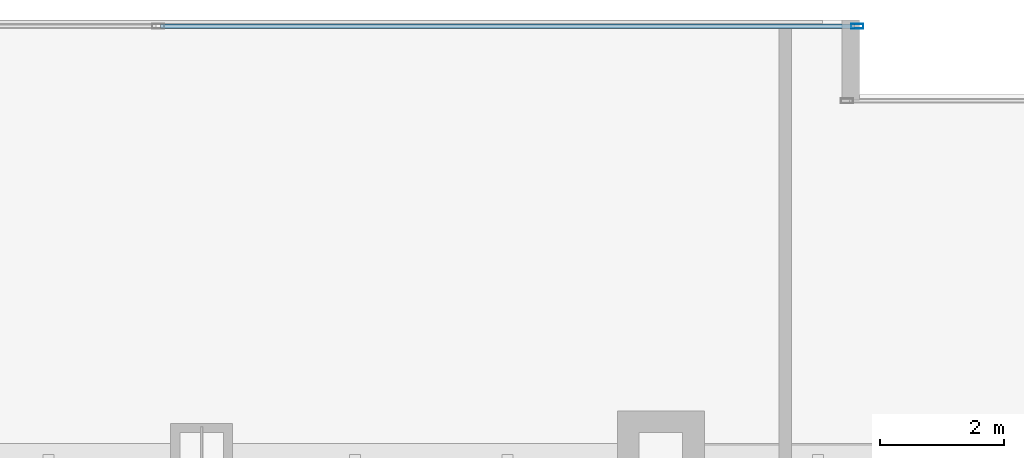
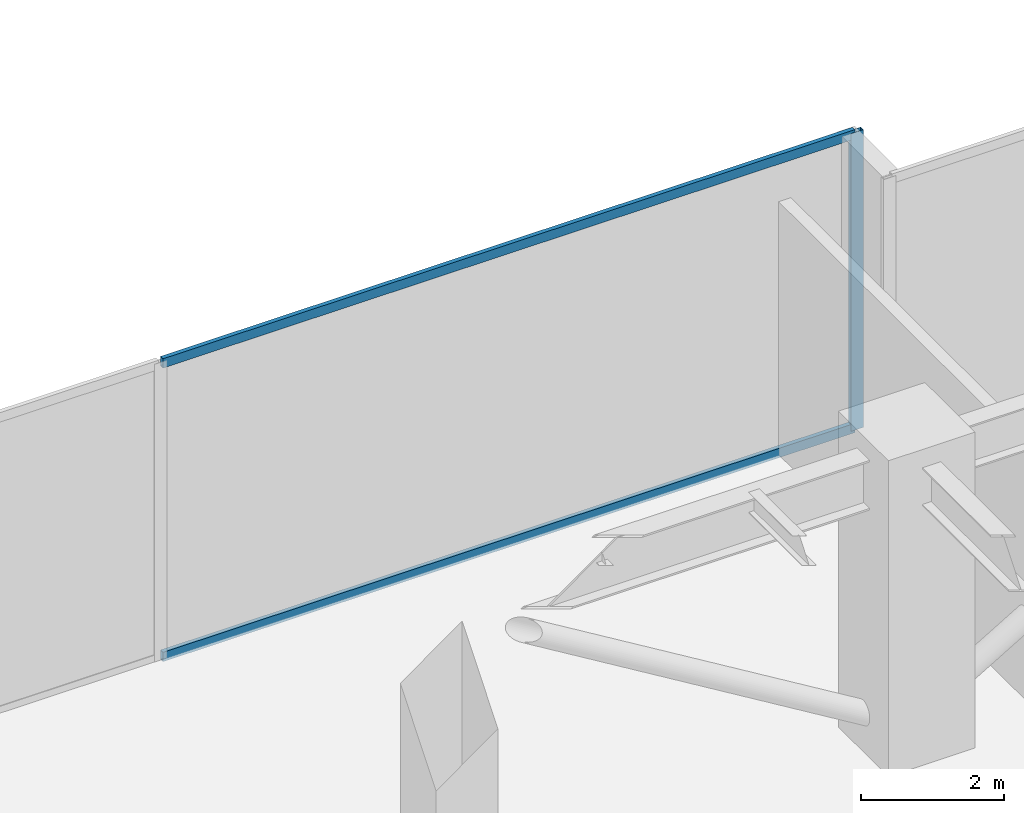
# One storey, part 16 of 38: 3 members, 1 element without a shape of its own.
"""IFC4 building model written with IfcOpenShell, lengths in metres."""

import ifcopenshell
import ifcopenshell.guid

model = None  # the IFC model being written
_history = None  # IfcOwnerHistory: only IFC2X3 demands one
_inside = {}  # id of a spatial element -> (the spatial element, [elements in it])
_under = {}  # id of a project, library or spatial element -> (it, [spatial elements below it])
_declared = {}  # id of a project -> (the project, [libraries it declares])
_typed = {}  # id of a type object -> (the type object, [elements of that type])
_made_of = {}  # id of a material, layer set ... -> (it, [elements and type objects made of it])


def new_model(schema):
    """Start an empty IFC model of exactly this schema.

    Asked for "IFC4X3", IfcOpenShell would pick the latest addendum, in which some entities
    have other attributes; the version numbers below select the first issue.
    IFC2X3 requires an IfcOwnerHistory on every rooted entity: one is made here for all.
    """
    global model, _history
    if schema == "IFC4X3":
        model = ifcopenshell.file(schema_version=(4, 3, 0, 0))
    else:
        model = ifcopenshell.file(schema=schema)
    _inside.clear()
    _under.clear()
    _declared.clear()
    _typed.clear()
    _made_of.clear()
    _history = None
    if model.schema == "IFC2X3":
        org = make("IfcOrganization", Name="unknown")
        user = make(
            "IfcPersonAndOrganization",
            ThePerson=make("IfcPerson", FamilyName="unknown"),
            TheOrganization=org,
        )
        app = make(
            "IfcApplication",
            ApplicationDeveloper=org,
            Version="unknown",
            ApplicationFullName="unknown",
            ApplicationIdentifier="unknown",
        )
        _history = make(
            "IfcOwnerHistory",
            OwningUser=user,
            OwningApplication=app,
            ChangeAction="ADDED",
            CreationDate=0,
        )
    return model


def make(cls, **values):
    """One entity of the class cls with the attributes given. An attribute that is None is left unset."""
    return model.create_entity(
        cls, **{name: value for name, value in values.items() if value is not None}
    )


def rooted(cls, **values):
    """An entity with a GlobalId (a new one), such as an element, a storey or a relation."""
    return make(cls, GlobalId=ifcopenshell.guid.new(), OwnerHistory=_history, **values)


def si_unit(unit_type, name, prefix=None):
    """IfcSIUnit, for example si_unit("LENGTHUNIT", "METRE", prefix="MILLI")."""
    return make("IfcSIUnit", UnitType=unit_type, Prefix=prefix, Name=name)


def assignment(units):
    """IfcUnitAssignment: the units of a project."""
    return None if units is None else make("IfcUnitAssignment", Units=units)


def point(xyz):
    """IfcCartesianPoint."""
    return None if xyz is None else make("IfcCartesianPoint", Coordinates=xyz)


def direction(xyz):
    """IfcDirection."""
    return None if xyz is None else make("IfcDirection", DirectionRatios=xyz)


def frame(location, z_axis=None, x_axis=None):
    """IfcAxis2Placement3D, a coordinate frame: its origin and axes. An axis left out is left unset."""
    return make(
        "IfcAxis2Placement3D",
        Location=point(location),
        Axis=direction(z_axis),
        RefDirection=direction(x_axis),
    )


def frame_2d(location, x_axis=None):
    """IfcAxis2Placement2D, a coordinate frame in the plane: its origin and x axis."""
    return make(
        "IfcAxis2Placement2D", Location=point(location), RefDirection=direction(x_axis)
    )


def origin():
    """The frame at (0, 0, 0) with its axes left unset."""
    return frame((0.0, 0.0, 0.0))


def origin_2d():
    """The frame at (0, 0) in the plane with its x axis left unset."""
    return frame_2d((0.0, 0.0))


def place(relative_to, where):
    """IfcLocalPlacement: puts the frame where relative to a parent placement (None: the world)."""
    return make(
        "IfcLocalPlacement", PlacementRelTo=relative_to, RelativePlacement=where
    )


def context(
    kind, dimensions, precision=None, world=None, true_north=None, identifier=None
):
    """IfcGeometricRepresentationContext, for example the 3D "Model" context."""
    return make(
        "IfcGeometricRepresentationContext",
        ContextIdentifier=identifier,
        ContextType=kind,
        CoordinateSpaceDimension=dimensions,
        Precision=precision,
        WorldCoordinateSystem=world,
        TrueNorth=true_north,
    )


def subcontext(parent, identifier, kind, view, scale=None):
    """IfcGeometricRepresentationSubContext, for example "Body" below "Model"."""
    return make(
        "IfcGeometricRepresentationSubContext",
        ContextIdentifier=identifier,
        ContextType=kind,
        ParentContext=parent,
        TargetScale=scale,
        TargetView=view,
    )


def project(units=None, contexts=None):
    """IfcProject with its units and contexts."""
    return rooted(
        "IfcProject",
        Name="project",
        RepresentationContexts=contexts,
        UnitsInContext=assignment(units),
    )


def spatial(cls, under=None, at=None, **own):
    """A site, building, storey or space (cls), placed at a placement, below another one or the project."""
    s = rooted(cls, ObjectPlacement=at, **own)
    if under is not None:
        _under.setdefault(under.id(), (under, []))[1].append(s)
    return s


def profile(cls, at=None, kind="AREA", **sizes):
    """A parametric profile (cls). Its sizes go by their IFC names, for example OverallWidth=200.0."""
    return make(cls, ProfileType=kind, Position=at, **sizes)


def hollow_rectangle(**sizes):
    """IfcRectangleHollowProfileDef."""
    return profile("IfcRectangleHollowProfileDef", **sizes)


def extrude(swept, where, along, depth):
    """IfcExtrudedAreaSolid: the profile swept, set in the frame where, extruded along a direction by depth."""
    return make(
        "IfcExtrudedAreaSolid",
        SweptArea=swept,
        Position=where,
        ExtrudedDirection=direction(along),
        Depth=depth,
    )


def shape(context_of_items, identifier, shape_type, items):
    """IfcShapeRepresentation: the items that make up one representation, for example the "Body"."""
    return make(
        "IfcShapeRepresentation",
        ContextOfItems=context_of_items,
        RepresentationIdentifier=identifier,
        RepresentationType=shape_type,
        Items=items,
    )


def source(mapping_origin, context_of_items, identifier, shape_type, items):
    """IfcRepresentationMap: a shape defined once, which mapped items show again and again."""
    return make(
        "IfcRepresentationMap",
        MappingOrigin=mapping_origin,
        MappedRepresentation=shape(context_of_items, identifier, shape_type, items),
    )


def transform(
    local_origin,
    x_axis=None,
    y_axis=None,
    z_axis=None,
    scale=None,
    scale2=None,
    scale3=None,
    uniform=True,
):
    """IfcCartesianTransformationOperator3D, or its non-uniform kind. x_axis, y_axis, z_axis: its Axis1, 2, 3."""
    if uniform:
        return make(
            "IfcCartesianTransformationOperator3D",
            Axis1=direction(x_axis),
            Axis2=direction(y_axis),
            LocalOrigin=point(local_origin),
            Scale=scale,
            Axis3=direction(z_axis),
        )
    return make(
        "IfcCartesianTransformationOperator3DnonUniform",
        Axis1=direction(x_axis),
        Axis2=direction(y_axis),
        LocalOrigin=point(local_origin),
        Scale=scale,
        Axis3=direction(z_axis),
        Scale2=scale2,
        Scale3=scale3,
    )


def mapped(mapping_source, mapping_target):
    """IfcMappedItem: shows the shape of a source again, moved by a transform."""
    return make(
        "IfcMappedItem", MappingSource=mapping_source, MappingTarget=mapping_target
    )


def material(Name=None, Category=None):
    """IfcMaterial."""
    return make("IfcMaterial", Name=Name, Category=Category)


def layer(
    of_material, thickness, ventilated=None, Name=None, Category=None, Priority=None
):
    """IfcMaterialLayer: one layer of a wall or slab, of a material (None: an air gap)."""
    return make(
        "IfcMaterialLayer",
        Material=of_material,
        LayerThickness=thickness,
        IsVentilated=ventilated,
        Name=Name,
        Category=Category,
        Priority=Priority,
    )


def layer_set(layers, Name=None):
    """IfcMaterialLayerSet."""
    return make("IfcMaterialLayerSet", MaterialLayers=layers, LayerSetName=Name)


def material_profile(
    of_material, cross_section, Name=None, Category=None, Priority=None
):
    """IfcMaterialProfile: a cross section and its material."""
    return make(
        "IfcMaterialProfile",
        Name=Name,
        Material=of_material,
        Profile=cross_section,
        Priority=Priority,
        Category=Category,
    )


def profile_set(profiles, Name=None, composite=None):
    """IfcMaterialProfileSet."""
    return make(
        "IfcMaterialProfileSet",
        Name=Name,
        MaterialProfiles=profiles,
        CompositeProfile=composite,
    )


def made_of(thing, what):
    """Note that an element or type object is made of a material, layer set ...; save() writes the relation."""
    if what is not None:
        _made_of.setdefault(what.id(), (what, []))[1].append(thing)
    return thing


def type_object(cls, material=None, **own):
    """A type object (cls), such as IfcWallType, which elements share."""
    return made_of(rooted(cls, **own), material)


def type_shapes(of_type, sources):
    """Give a type object the sources (RepresentationMaps) that its elements show as mapped items."""
    of_type.RepresentationMaps = sources


def element(
    cls,
    number,
    at=None,
    inside=None,
    cuts=None,
    type_object=None,
    material=None,
    context=None,
    identifier="Body",
    shape_type=None,
    held_by="IfcProductDefinitionShape",
    body=None,
    shapes=None,
    **own,
):
    """One element of the class cls, such as IfcWall. Its Tag is "e" and its number.

    at: its placement. inside: the storey or other place that contains it. cuts: it is an
    opening in that element (IfcRelVoidsElement). A single representation is given by context,
    identifier, shape_type and body (its items); several are given by shapes. held_by: the class
    of the entity that holds the representations. save() writes the other relations.
    """
    e = rooted(cls, Tag="e%d" % number, ObjectPlacement=at, **own)
    if body is not None:
        shapes = [shape(context, identifier, shape_type, body)]
    if shapes is not None:
        e.Representation = make(held_by, Representations=shapes)
    if inside is not None:
        _inside.setdefault(inside.id(), (inside, []))[1].append(e)
    if cuts is not None:
        rooted(
            "IfcRelVoidsElement", RelatingBuildingElement=cuts, RelatedOpeningElement=e
        )
    if type_object is not None:
        _typed.setdefault(type_object.id(), (type_object, []))[1].append(e)
    return made_of(e, material)


def aggregate(whole, parts):
    """IfcRelAggregates: a whole, such as a stair, and the parts it consists of."""
    return rooted("IfcRelAggregates", RelatingObject=whole, RelatedObjects=parts)


def save(model, path):
    """Write the relations noted so far, then the file.

    IfcRelAggregates (storeys below a building ...), IfcRelContainedInSpatialStructure (elements
    in a storey), IfcRelDefinesByType, IfcRelAssociatesMaterial and IfcRelDeclares: one each for
    every whole, place, type object, material and project.
    """
    for whole, parts in _under.values():
        aggregate(whole, parts)
    for where, things in _inside.values():
        rooted(
            "IfcRelContainedInSpatialStructure",
            RelatedElements=things,
            RelatingStructure=where,
        )
    for kind, things in _typed.values():
        rooted("IfcRelDefinesByType", RelatedObjects=things, RelatingType=kind)
    for what, things in _made_of.values():
        rooted("IfcRelAssociatesMaterial", RelatedObjects=things, RelatingMaterial=what)
    for by, libraries in _declared.values():
        rooted("IfcRelDeclares", RelatingContext=by, RelatedDefinitions=libraries)
    model.write(path)


model = new_model("IFC4")

# Units and contexts
model_context = context("Model", 3, precision=1e-05, world=origin(), true_north=direction((0.0, 1.0)))
body_context = subcontext(model_context, "Body", "Model", "MODEL_VIEW")
ifc_project = project(units=[si_unit("LENGTHUNIT", "METRE"), si_unit("AREAUNIT", "SQUARE_METRE"), si_unit("VOLUMEUNIT", "CUBIC_METRE"), si_unit("PLANEANGLEUNIT", "RADIAN"), si_unit("MASSUNIT", "GRAM", prefix="KILO")], contexts=[model_context])

# Site, building, storey
site_placement = place(None, origin())
site = spatial("IfcSite", under=ifc_project, at=site_placement, CompositionType="ELEMENT")
building_placement = place(site_placement, origin())
building = spatial("IfcBuilding", under=site, at=building_placement, Name="Haelvirn Gate Laboratories", CompositionType="ELEMENT")
storey_placement = place(building_placement, frame((0.0, 0.0, 94.89990234375)))
storey = spatial("IfcBuildingStorey", under=building, at=storey_placement, Name="L23", CompositionType="ELEMENT", Elevation=94.89990234375)

# Curtain wall, members
ifc_material_1 = material(Name="Anodised bronze unitised aluminium & triple low-E glass", Category="aluminium")
ifc_layer = layer(ifc_material_1, 0.18408203125, Name="CW-SYS-2")
ifc_layer_set = layer_set([ifc_layer], Name="Anodised bronze unitised aluminium & triple low-E glass")
curtain_wall_type = type_object("IfcCurtainWallType", Name="CW-SYS-2", PredefinedType="NOTDEFINED", material=ifc_layer_set)
curtain_wall_placement = place(storey_placement, origin())
curtain_wall = element("IfcCurtainWall", 1, at=curtain_wall_placement, inside=storey, type_object=curtain_wall_type, Name="L23 Unitised Curtain Wall CW-L23-P0-E14-1", PredefinedType="NOTDEFINED")
ifc_material_2 = material(Name="Extruded aluminium 6063-T6 (anodised bronze)", Category="aluminium")
ifc_material_profile_1 = material_profile(ifc_material_2, hollow_rectangle(XDim=0.070068359375, YDim=0.159912109375, WallThickness=0.0048828125, at=origin_2d()), Name="CWT-160x70x5")
ifc_profile_set_1 = profile_set([ifc_material_profile_1], Name="Extruded aluminium 6063-T6 (anodised bronze)")
member_type_1 = type_object("IfcMemberType", Name="CWT-T160", PredefinedType="USERDEFINED", material=ifc_profile_set_1)
shared_shape_1 = source(origin(), body_context, "Body", "SweptSolid", [
    extrude(hollow_rectangle(XDim=0.070068359375, YDim=0.159912109375, WallThickness=0.0048828125, at=origin_2d()), origin(), (0.0, 0.0, 1.0), 11.1875),
])
type_shapes(member_type_1, [shared_shape_1])
member_1_placement = place(storey_placement, frame((14.137451171875, 48.5, 0.03515625), z_axis=(1.0, 0.0, 0.0), x_axis=(0.0, 1.0, 0.0)))
member_1 = element("IfcMember", 2, at=member_1_placement, type_object=member_type_1, Name="CW2 transom 2.1", ObjectType="TRANSOM", PredefinedType="USERDEFINED", context=body_context, shape_type="MappedRepresentation", body=[
    mapped(shared_shape_1, transform((0.0, 0.0, 0.0), scale=1.0)),
])
member_2_placement = place(storey_placement, frame((14.137451171875, 48.5, 5.05517578125), z_axis=(1.0, 0.0, 0.0), x_axis=(0.0, 1.0, 0.0)))
member_2 = element("IfcMember", 3, at=member_2_placement, type_object=member_type_1, Name="CW2 transom 2.2", ObjectType="TRANSOM", PredefinedType="USERDEFINED", context=body_context, shape_type="MappedRepresentation", body=[
    mapped(shared_shape_1, transform((0.0, 0.0, 0.0), scale=1.0)),
])
ifc_material_profile_2 = material_profile(ifc_material_2, hollow_rectangle(XDim=0.074951171875, YDim=0.199951171875, WallThickness=0.0048828125, at=origin_2d()), Name="CWM-200x75x5")
ifc_profile_set_2 = profile_set([ifc_material_profile_2], Name="Extruded aluminium 6063-T6 (anodised bronze)")
member_type_2 = type_object("IfcMemberType", Name="CWM-T200", PredefinedType="MULLION", material=ifc_profile_set_2)
shared_shape_2 = source(origin(), body_context, "Body", "SweptSolid", [
    extrude(hollow_rectangle(XDim=0.074951171875, YDim=0.199951171875, WallThickness=0.0048828125, at=origin_2d()), origin(), (0.0, 0.0, 1.0), 5.090087890625),
])
type_shapes(member_type_2, [shared_shape_2])
member_3_placement = place(storey_placement, frame((25.362548828125, 48.5, 0.0), z_axis=(0.0, 0.0, 1.0), x_axis=(0.0, 1.0, 0.0)))
member_3 = element("IfcMember", 4, at=member_3_placement, type_object=member_type_2, Name="CW2 mullion 3", PredefinedType="MULLION", context=body_context, shape_type="MappedRepresentation", body=[
    mapped(shared_shape_2, transform((0.0, 0.0, 0.0), scale=1.0)),
])
aggregate(curtain_wall, [member_3, member_1, member_2])

save(model, "model.ifc")
